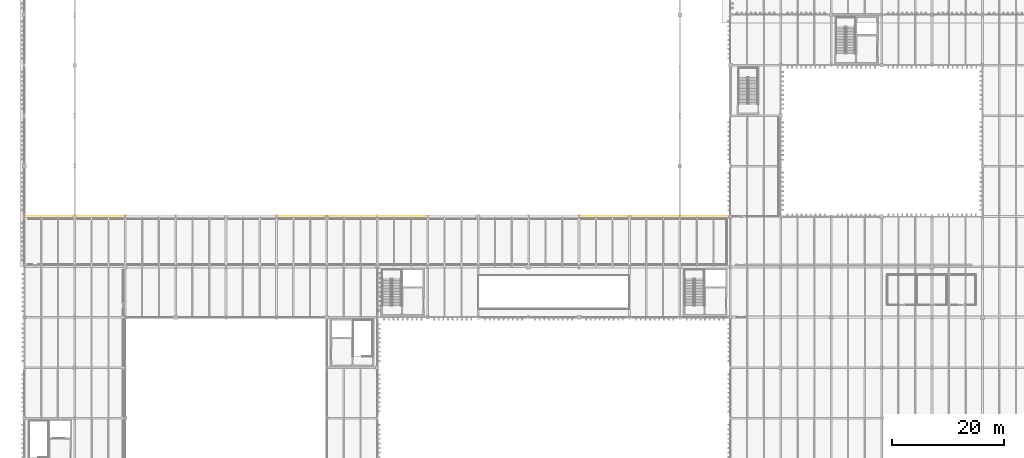
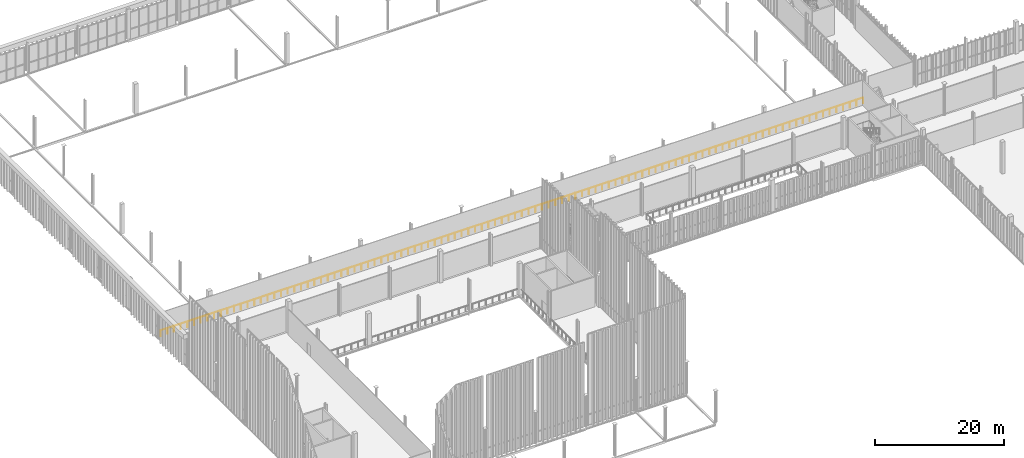
# One storey, part 215 of 237: 1 railing.
"""IFC4 building model written with IfcOpenShell, lengths in metres."""

import ifcopenshell
import ifcopenshell.guid

model = None  # the IFC model being written
_history = None  # IfcOwnerHistory: only IFC2X3 demands one
_inside = {}  # id of a spatial element -> (the spatial element, [elements in it])
_under = {}  # id of a project, library or spatial element -> (it, [spatial elements below it])
_declared = {}  # id of a project -> (the project, [libraries it declares])
_typed = {}  # id of a type object -> (the type object, [elements of that type])
_made_of = {}  # id of a material, layer set ... -> (it, [elements and type objects made of it])


def new_model(schema):
    """Start an empty IFC model of exactly this schema.

    Asked for "IFC4X3", IfcOpenShell would pick the latest addendum, in which some entities
    have other attributes; the version numbers below select the first issue.
    IFC2X3 requires an IfcOwnerHistory on every rooted entity: one is made here for all.
    """
    global model, _history
    if schema == "IFC4X3":
        model = ifcopenshell.file(schema_version=(4, 3, 0, 0))
    else:
        model = ifcopenshell.file(schema=schema)
    _inside.clear()
    _under.clear()
    _declared.clear()
    _typed.clear()
    _made_of.clear()
    _history = None
    if model.schema == "IFC2X3":
        org = make("IfcOrganization", Name="unknown")
        user = make(
            "IfcPersonAndOrganization",
            ThePerson=make("IfcPerson", FamilyName="unknown"),
            TheOrganization=org,
        )
        app = make(
            "IfcApplication",
            ApplicationDeveloper=org,
            Version="unknown",
            ApplicationFullName="unknown",
            ApplicationIdentifier="unknown",
        )
        _history = make(
            "IfcOwnerHistory",
            OwningUser=user,
            OwningApplication=app,
            ChangeAction="ADDED",
            CreationDate=0,
        )
    return model


def make(cls, **values):
    """One entity of the class cls with the attributes given. An attribute that is None is left unset."""
    return model.create_entity(
        cls, **{name: value for name, value in values.items() if value is not None}
    )


def rooted(cls, **values):
    """An entity with a GlobalId (a new one), such as an element, a storey or a relation."""
    return make(cls, GlobalId=ifcopenshell.guid.new(), OwnerHistory=_history, **values)


def si_unit(unit_type, name, prefix=None):
    """IfcSIUnit, for example si_unit("LENGTHUNIT", "METRE", prefix="MILLI")."""
    return make("IfcSIUnit", UnitType=unit_type, Prefix=prefix, Name=name)


def assignment(units):
    """IfcUnitAssignment: the units of a project."""
    return None if units is None else make("IfcUnitAssignment", Units=units)


def point(xyz):
    """IfcCartesianPoint."""
    return None if xyz is None else make("IfcCartesianPoint", Coordinates=xyz)


def direction(xyz):
    """IfcDirection."""
    return None if xyz is None else make("IfcDirection", DirectionRatios=xyz)


def frame(location, z_axis=None, x_axis=None):
    """IfcAxis2Placement3D, a coordinate frame: its origin and axes. An axis left out is left unset."""
    return make(
        "IfcAxis2Placement3D",
        Location=point(location),
        Axis=direction(z_axis),
        RefDirection=direction(x_axis),
    )


def frame_2d(location, x_axis=None):
    """IfcAxis2Placement2D, a coordinate frame in the plane: its origin and x axis."""
    return make(
        "IfcAxis2Placement2D", Location=point(location), RefDirection=direction(x_axis)
    )


def origin():
    """The frame at (0, 0, 0) with its axes left unset."""
    return frame((0.0, 0.0, 0.0))


def origin_2d():
    """The frame at (0, 0) in the plane with its x axis left unset."""
    return frame_2d((0.0, 0.0))


def place(relative_to, where):
    """IfcLocalPlacement: puts the frame where relative to a parent placement (None: the world)."""
    return make(
        "IfcLocalPlacement", PlacementRelTo=relative_to, RelativePlacement=where
    )


def context(
    kind, dimensions, precision=None, world=None, true_north=None, identifier=None
):
    """IfcGeometricRepresentationContext, for example the 3D "Model" context."""
    return make(
        "IfcGeometricRepresentationContext",
        ContextIdentifier=identifier,
        ContextType=kind,
        CoordinateSpaceDimension=dimensions,
        Precision=precision,
        WorldCoordinateSystem=world,
        TrueNorth=true_north,
    )


def subcontext(parent, identifier, kind, view, scale=None):
    """IfcGeometricRepresentationSubContext, for example "Body" below "Model"."""
    return make(
        "IfcGeometricRepresentationSubContext",
        ContextIdentifier=identifier,
        ContextType=kind,
        ParentContext=parent,
        TargetScale=scale,
        TargetView=view,
    )


def project(units=None, contexts=None):
    """IfcProject with its units and contexts."""
    return rooted(
        "IfcProject",
        Name="project",
        RepresentationContexts=contexts,
        UnitsInContext=assignment(units),
    )


def spatial(cls, under=None, at=None, **own):
    """A site, building, storey or space (cls), placed at a placement, below another one or the project."""
    s = rooted(cls, ObjectPlacement=at, **own)
    if under is not None:
        _under.setdefault(under.id(), (under, []))[1].append(s)
    return s


def profile(cls, at=None, kind="AREA", **sizes):
    """A parametric profile (cls). Its sizes go by their IFC names, for example OverallWidth=200.0."""
    return make(cls, ProfileType=kind, Position=at, **sizes)


def circle(**sizes):
    """IfcCircleProfileDef."""
    return profile("IfcCircleProfileDef", **sizes)


def extrude(swept, where, along, depth):
    """IfcExtrudedAreaSolid: the profile swept, set in the frame where, extruded along a direction by depth."""
    return make(
        "IfcExtrudedAreaSolid",
        SweptArea=swept,
        Position=where,
        ExtrudedDirection=direction(along),
        Depth=depth,
    )


def shape(context_of_items, identifier, shape_type, items):
    """IfcShapeRepresentation: the items that make up one representation, for example the "Body"."""
    return make(
        "IfcShapeRepresentation",
        ContextOfItems=context_of_items,
        RepresentationIdentifier=identifier,
        RepresentationType=shape_type,
        Items=items,
    )


def material(Name=None, Category=None):
    """IfcMaterial."""
    return make("IfcMaterial", Name=Name, Category=Category)


def made_of(thing, what):
    """Note that an element or type object is made of a material, layer set ...; save() writes the relation."""
    if what is not None:
        _made_of.setdefault(what.id(), (what, []))[1].append(thing)
    return thing


def type_object(cls, material=None, **own):
    """A type object (cls), such as IfcWallType, which elements share."""
    return made_of(rooted(cls, **own), material)


def element(
    cls,
    number,
    at=None,
    inside=None,
    cuts=None,
    type_object=None,
    material=None,
    context=None,
    identifier="Body",
    shape_type=None,
    held_by="IfcProductDefinitionShape",
    body=None,
    shapes=None,
    **own,
):
    """One element of the class cls, such as IfcWall. Its Tag is "e" and its number.

    at: its placement. inside: the storey or other place that contains it. cuts: it is an
    opening in that element (IfcRelVoidsElement). A single representation is given by context,
    identifier, shape_type and body (its items); several are given by shapes. held_by: the class
    of the entity that holds the representations. save() writes the other relations.
    """
    e = rooted(cls, Tag="e%d" % number, ObjectPlacement=at, **own)
    if body is not None:
        shapes = [shape(context, identifier, shape_type, body)]
    if shapes is not None:
        e.Representation = make(held_by, Representations=shapes)
    if inside is not None:
        _inside.setdefault(inside.id(), (inside, []))[1].append(e)
    if cuts is not None:
        rooted(
            "IfcRelVoidsElement", RelatingBuildingElement=cuts, RelatedOpeningElement=e
        )
    if type_object is not None:
        _typed.setdefault(type_object.id(), (type_object, []))[1].append(e)
    return made_of(e, material)


def aggregate(whole, parts):
    """IfcRelAggregates: a whole, such as a stair, and the parts it consists of."""
    return rooted("IfcRelAggregates", RelatingObject=whole, RelatedObjects=parts)


def save(model, path):
    """Write the relations noted so far, then the file.

    IfcRelAggregates (storeys below a building ...), IfcRelContainedInSpatialStructure (elements
    in a storey), IfcRelDefinesByType, IfcRelAssociatesMaterial and IfcRelDeclares: one each for
    every whole, place, type object, material and project.
    """
    for whole, parts in _under.values():
        aggregate(whole, parts)
    for where, things in _inside.values():
        rooted(
            "IfcRelContainedInSpatialStructure",
            RelatedElements=things,
            RelatingStructure=where,
        )
    for kind, things in _typed.values():
        rooted("IfcRelDefinesByType", RelatedObjects=things, RelatingType=kind)
    for what, things in _made_of.values():
        rooted("IfcRelAssociatesMaterial", RelatedObjects=things, RelatingMaterial=what)
    for by, libraries in _declared.values():
        rooted("IfcRelDeclares", RelatingContext=by, RelatedDefinitions=libraries)
    model.write(path)


model = new_model("IFC4")

# Units and contexts
model_context = context("Model", 3, precision=1e-05, world=origin(), true_north=direction((0.0, 1.0)))
body_context = subcontext(model_context, "Body", "Model", "MODEL_VIEW")
ifc_project = project(units=[si_unit("LENGTHUNIT", "METRE"), si_unit("AREAUNIT", "SQUARE_METRE"), si_unit("VOLUMEUNIT", "CUBIC_METRE"), si_unit("PLANEANGLEUNIT", "RADIAN"), si_unit("MASSUNIT", "GRAM", prefix="KILO")], contexts=[model_context])

# Site, building, storey
site_placement = place(None, origin())
site = spatial("IfcSite", under=ifc_project, at=site_placement, CompositionType="ELEMENT")
building_placement = place(site_placement, origin())
building = spatial("IfcBuilding", under=site, at=building_placement, Name="Barlavento Convention Centre", CompositionType="ELEMENT")
storey_placement = place(building_placement, frame((0.0, 0.0, 12.0)))
storey = spatial("IfcBuildingStorey", under=building, at=storey_placement, Name="L02", CompositionType="ELEMENT", Elevation=12.0)

# Railing
ifc_material = material(Name="Stainless steel and laminated glass balustrade", Category="steel")
railing_type = type_object("IfcRailingType", Name="ARC-RAL-BAL-1100", PredefinedType="BALUSTRADE", material=ifc_material)
railing_placement = place(storey_placement, frame((0.300048828125, 62.949951171875, 0.0)))
element("IfcRailing", 1, at=railing_placement, inside=storey, type_object=railing_type, Name="L02 interior atrium or gallery balustrade GR01", PredefinedType="BALUSTRADE", context=body_context, shape_type="SweptSolid", body=[
    extrude(circle(Radius=0.02392578125, at=origin_2d()), frame((0.0, 0.0, 1.076171875), z_axis=(1.0, 0.0, 0.0), x_axis=(0.0, 1.0, 0.0)), (0.0, 0.0, 1.0), 125.39990234375),
    extrude(circle(Radius=0.02099609375, at=origin_2d()), origin(), (0.0, 0.0, 1.0), 1.052001953125),
    extrude(circle(Radius=0.02099609375, at=origin_2d()), frame((1.1943359375, 0.0, 0.0)), (0.0, 0.0, 1.0), 1.052001953125),
    extrude(circle(Radius=0.02099609375, at=origin_2d()), frame((2.388671875, 0.0, 0.0)), (0.0, 0.0, 1.0), 1.052001953125),
    extrude(circle(Radius=0.02099609375, at=origin_2d()), frame((3.582763671875, 0.0, 0.0)), (0.0, 0.0, 1.0), 1.052001953125),
    extrude(circle(Radius=0.02099609375, at=origin_2d()), frame((4.777099609375, 0.0, 0.0)), (0.0, 0.0, 1.0), 1.052001953125),
    extrude(circle(Radius=0.02099609375, at=origin_2d()), frame((5.971435546875, 0.0, 0.0)), (0.0, 0.0, 1.0), 1.052001953125),
    extrude(circle(Radius=0.02099609375, at=origin_2d()), frame((7.165771484375, 0.0, 0.0)), (0.0, 0.0, 1.0), 1.052001953125),
    extrude(circle(Radius=0.02099609375, at=origin_2d()), frame((8.360107421875, 0.0, 0.0)), (0.0, 0.0, 1.0), 1.052001953125),
    extrude(circle(Radius=0.02099609375, at=origin_2d()), frame((9.55419921875, 0.0, 0.0)), (0.0, 0.0, 1.0), 1.052001953125),
    extrude(circle(Radius=0.02099609375, at=origin_2d()), frame((10.74853515625, 0.0, 0.0)), (0.0, 0.0, 1.0), 1.052001953125),
    extrude(circle(Radius=0.02099609375, at=origin_2d()), frame((11.94287109375, 0.0, 0.0)), (0.0, 0.0, 1.0), 1.052001953125),
    extrude(circle(Radius=0.02099609375, at=origin_2d()), frame((13.13720703125, 0.0, 0.0)), (0.0, 0.0, 1.0), 1.052001953125),
    extrude(circle(Radius=0.02099609375, at=origin_2d()), frame((14.331298828125, 0.0, 0.0)), (0.0, 0.0, 1.0), 1.052001953125),
    extrude(circle(Radius=0.02099609375, at=origin_2d()), frame((15.525634765625, 0.0, 0.0)), (0.0, 0.0, 1.0), 1.052001953125),
    extrude(circle(Radius=0.02099609375, at=origin_2d()), frame((16.719970703125, 0.0, 0.0)), (0.0, 0.0, 1.0), 1.052001953125),
    extrude(circle(Radius=0.02099609375, at=origin_2d()), frame((17.914306640625, 0.0, 0.0)), (0.0, 0.0, 1.0), 1.052001953125),
    extrude(circle(Radius=0.02099609375, at=origin_2d()), frame((19.108642578125, 0.0, 0.0)), (0.0, 0.0, 1.0), 1.052001953125),
    extrude(circle(Radius=0.02099609375, at=origin_2d()), frame((20.302734375, 0.0, 0.0)), (0.0, 0.0, 1.0), 1.052001953125),
    extrude(circle(Radius=0.02099609375, at=origin_2d()), frame((21.4970703125, 0.0, 0.0)), (0.0, 0.0, 1.0), 1.052001953125),
    extrude(circle(Radius=0.02099609375, at=origin_2d()), frame((22.69140625, 0.0, 0.0)), (0.0, 0.0, 1.0), 1.052001953125),
    extrude(circle(Radius=0.02099609375, at=origin_2d()), frame((23.8857421875, 0.0, 0.0)), (0.0, 0.0, 1.0), 1.052001953125),
    extrude(circle(Radius=0.02099609375, at=origin_2d()), frame((25.080078125, 0.0, 0.0)), (0.0, 0.0, 1.0), 1.052001953125),
    extrude(circle(Radius=0.02099609375, at=origin_2d()), frame((26.274169921875, 0.0, 0.0)), (0.0, 0.0, 1.0), 1.052001953125),
    extrude(circle(Radius=0.02099609375, at=origin_2d()), frame((27.468505859375, 0.0, 0.0)), (0.0, 0.0, 1.0), 1.052001953125),
    extrude(circle(Radius=0.02099609375, at=origin_2d()), frame((28.662841796875, 0.0, 0.0)), (0.0, 0.0, 1.0), 1.052001953125),
    extrude(circle(Radius=0.02099609375, at=origin_2d()), frame((29.857177734375, 0.0, 0.0)), (0.0, 0.0, 1.0), 1.052001953125),
    extrude(circle(Radius=0.02099609375, at=origin_2d()), frame((31.051513671875, 0.0, 0.0)), (0.0, 0.0, 1.0), 1.052001953125),
    extrude(circle(Radius=0.02099609375, at=origin_2d()), frame((32.24560546875, 0.0, 0.0)), (0.0, 0.0, 1.0), 1.052001953125),
    extrude(circle(Radius=0.02099609375, at=origin_2d()), frame((33.43994140625, 0.0, 0.0)), (0.0, 0.0, 1.0), 1.052001953125),
    extrude(circle(Radius=0.02099609375, at=origin_2d()), frame((34.63427734375, 0.0, 0.0)), (0.0, 0.0, 1.0), 1.052001953125),
    extrude(circle(Radius=0.02099609375, at=origin_2d()), frame((35.82861328125, 0.0, 0.0)), (0.0, 0.0, 1.0), 1.052001953125),
    extrude(circle(Radius=0.02099609375, at=origin_2d()), frame((37.02294921875, 0.0, 0.0)), (0.0, 0.0, 1.0), 1.052001953125),
    extrude(circle(Radius=0.02099609375, at=origin_2d()), frame((38.217041015625, 0.0, 0.0)), (0.0, 0.0, 1.0), 1.052001953125),
    extrude(circle(Radius=0.02099609375, at=origin_2d()), frame((39.411376953125, 0.0, 0.0)), (0.0, 0.0, 1.0), 1.052001953125),
    extrude(circle(Radius=0.02099609375, at=origin_2d()), frame((40.605712890625, 0.0, 0.0)), (0.0, 0.0, 1.0), 1.052001953125),
    extrude(circle(Radius=0.02099609375, at=origin_2d()), frame((41.800048828125, 0.0, 0.0)), (0.0, 0.0, 1.0), 1.052001953125),
    extrude(circle(Radius=0.02099609375, at=origin_2d()), frame((42.994140625, 0.0, 0.0)), (0.0, 0.0, 1.0), 1.052001953125),
    extrude(circle(Radius=0.02099609375, at=origin_2d()), frame((44.1884765625, 0.0, 0.0)), (0.0, 0.0, 1.0), 1.052001953125),
    extrude(circle(Radius=0.02099609375, at=origin_2d()), frame((45.3828125, 0.0, 0.0)), (0.0, 0.0, 1.0), 1.052001953125),
    extrude(circle(Radius=0.02099609375, at=origin_2d()), frame((46.5771484375, 0.0, 0.0)), (0.0, 0.0, 1.0), 1.052001953125),
    extrude(circle(Radius=0.02099609375, at=origin_2d()), frame((47.771484375, 0.0, 0.0)), (0.0, 0.0, 1.0), 1.052001953125),
    extrude(circle(Radius=0.02099609375, at=origin_2d()), frame((48.965576171875, 0.0, 0.0)), (0.0, 0.0, 1.0), 1.052001953125),
    extrude(circle(Radius=0.02099609375, at=origin_2d()), frame((50.159912109375, 0.0, 0.0)), (0.0, 0.0, 1.0), 1.052001953125),
    extrude(circle(Radius=0.02099609375, at=origin_2d()), frame((51.354248046875, 0.0, 0.0)), (0.0, 0.0, 1.0), 1.052001953125),
    extrude(circle(Radius=0.02099609375, at=origin_2d()), frame((52.548583984375, 0.0, 0.0)), (0.0, 0.0, 1.0), 1.052001953125),
    extrude(circle(Radius=0.02099609375, at=origin_2d()), frame((53.742919921875, 0.0, 0.0)), (0.0, 0.0, 1.0), 1.052001953125),
    extrude(circle(Radius=0.02099609375, at=origin_2d()), frame((54.93701171875, 0.0, 0.0)), (0.0, 0.0, 1.0), 1.052001953125),
    extrude(circle(Radius=0.02099609375, at=origin_2d()), frame((56.13134765625, 0.0, 0.0)), (0.0, 0.0, 1.0), 1.052001953125),
    extrude(circle(Radius=0.02099609375, at=origin_2d()), frame((57.32568359375, 0.0, 0.0)), (0.0, 0.0, 1.0), 1.052001953125),
    extrude(circle(Radius=0.02099609375, at=origin_2d()), frame((58.52001953125, 0.0, 0.0)), (0.0, 0.0, 1.0), 1.052001953125),
    extrude(circle(Radius=0.02099609375, at=origin_2d()), frame((59.71435546875, 0.0, 0.0)), (0.0, 0.0, 1.0), 1.052001953125),
    extrude(circle(Radius=0.02099609375, at=origin_2d()), frame((60.908447265625, 0.0, 0.0)), (0.0, 0.0, 1.0), 1.052001953125),
    extrude(circle(Radius=0.02099609375, at=origin_2d()), frame((62.102783203125, 0.0, 0.0)), (0.0, 0.0, 1.0), 1.052001953125),
    extrude(circle(Radius=0.02099609375, at=origin_2d()), frame((63.297119140625, 0.0, 0.0)), (0.0, 0.0, 1.0), 1.052001953125),
    extrude(circle(Radius=0.02099609375, at=origin_2d()), frame((64.491455078125, 0.0, 0.0)), (0.0, 0.0, 1.0), 1.052001953125),
    extrude(circle(Radius=0.02099609375, at=origin_2d()), frame((65.685546875, 0.0, 0.0)), (0.0, 0.0, 1.0), 1.052001953125),
    extrude(circle(Radius=0.02099609375, at=origin_2d()), frame((66.8798828125, 0.0, 0.0)), (0.0, 0.0, 1.0), 1.052001953125),
    extrude(circle(Radius=0.02099609375, at=origin_2d()), frame((68.07421875, 0.0, 0.0)), (0.0, 0.0, 1.0), 1.052001953125),
    extrude(circle(Radius=0.02099609375, at=origin_2d()), frame((69.2685546875, 0.0, 0.0)), (0.0, 0.0, 1.0), 1.052001953125),
    extrude(circle(Radius=0.02099609375, at=origin_2d()), frame((70.462890625, 0.0, 0.0)), (0.0, 0.0, 1.0), 1.052001953125),
    extrude(circle(Radius=0.02099609375, at=origin_2d()), frame((71.656982421875, 0.0, 0.0)), (0.0, 0.0, 1.0), 1.052001953125),
    extrude(circle(Radius=0.02099609375, at=origin_2d()), frame((72.851318359375, 0.0, 0.0)), (0.0, 0.0, 1.0), 1.052001953125),
    extrude(circle(Radius=0.02099609375, at=origin_2d()), frame((74.045654296875, 0.0, 0.0)), (0.0, 0.0, 1.0), 1.052001953125),
    extrude(circle(Radius=0.02099609375, at=origin_2d()), frame((75.239990234375, 0.0, 0.0)), (0.0, 0.0, 1.0), 1.052001953125),
    extrude(circle(Radius=0.02099609375, at=origin_2d()), frame((76.434326171875, 0.0, 0.0)), (0.0, 0.0, 1.0), 1.052001953125),
    extrude(circle(Radius=0.02099609375, at=origin_2d()), frame((77.62841796875, 0.0, 0.0)), (0.0, 0.0, 1.0), 1.052001953125),
    extrude(circle(Radius=0.02099609375, at=origin_2d()), frame((78.82275390625, 0.0, 0.0)), (0.0, 0.0, 1.0), 1.052001953125),
    extrude(circle(Radius=0.02099609375, at=origin_2d()), frame((80.01708984375, 0.0, 0.0)), (0.0, 0.0, 1.0), 1.052001953125),
    extrude(circle(Radius=0.02099609375, at=origin_2d()), frame((81.21142578125, 0.0, 0.0)), (0.0, 0.0, 1.0), 1.052001953125),
    extrude(circle(Radius=0.02099609375, at=origin_2d()), frame((82.40576171875, 0.0, 0.0)), (0.0, 0.0, 1.0), 1.052001953125),
    extrude(circle(Radius=0.02099609375, at=origin_2d()), frame((83.599853515625, 0.0, 0.0)), (0.0, 0.0, 1.0), 1.052001953125),
    extrude(circle(Radius=0.02099609375, at=origin_2d()), frame((84.794189453125, 0.0, 0.0)), (0.0, 0.0, 1.0), 1.052001953125),
    extrude(circle(Radius=0.02099609375, at=origin_2d()), frame((85.988525390625, 0.0, 0.0)), (0.0, 0.0, 1.0), 1.052001953125),
    extrude(circle(Radius=0.02099609375, at=origin_2d()), frame((87.182861328125, 0.0, 0.0)), (0.0, 0.0, 1.0), 1.052001953125),
    extrude(circle(Radius=0.02099609375, at=origin_2d()), frame((88.376953125, 0.0, 0.0)), (0.0, 0.0, 1.0), 1.052001953125),
    extrude(circle(Radius=0.02099609375, at=origin_2d()), frame((89.5712890625, 0.0, 0.0)), (0.0, 0.0, 1.0), 1.052001953125),
    extrude(circle(Radius=0.02099609375, at=origin_2d()), frame((90.765625, 0.0, 0.0)), (0.0, 0.0, 1.0), 1.052001953125),
    extrude(circle(Radius=0.02099609375, at=origin_2d()), frame((91.9599609375, 0.0, 0.0)), (0.0, 0.0, 1.0), 1.052001953125),
    extrude(circle(Radius=0.02099609375, at=origin_2d()), frame((93.154296875, 0.0, 0.0)), (0.0, 0.0, 1.0), 1.052001953125),
    extrude(circle(Radius=0.02099609375, at=origin_2d()), frame((94.348388671875, 0.0, 0.0)), (0.0, 0.0, 1.0), 1.052001953125),
    extrude(circle(Radius=0.02099609375, at=origin_2d()), frame((95.542724609375, 0.0, 0.0)), (0.0, 0.0, 1.0), 1.052001953125),
    extrude(circle(Radius=0.02099609375, at=origin_2d()), frame((96.737060546875, 0.0, 0.0)), (0.0, 0.0, 1.0), 1.052001953125),
    extrude(circle(Radius=0.02099609375, at=origin_2d()), frame((97.931396484375, 0.0, 0.0)), (0.0, 0.0, 1.0), 1.052001953125),
    extrude(circle(Radius=0.02099609375, at=origin_2d()), frame((99.125732421875, 0.0, 0.0)), (0.0, 0.0, 1.0), 1.052001953125),
    extrude(circle(Radius=0.02099609375, at=origin_2d()), frame((100.31982421875, 0.0, 0.0)), (0.0, 0.0, 1.0), 1.052001953125),
    extrude(circle(Radius=0.02099609375, at=origin_2d()), frame((101.51416015625, 0.0, 0.0)), (0.0, 0.0, 1.0), 1.052001953125),
    extrude(circle(Radius=0.02099609375, at=origin_2d()), frame((102.70849609375, 0.0, 0.0)), (0.0, 0.0, 1.0), 1.052001953125),
    extrude(circle(Radius=0.02099609375, at=origin_2d()), frame((103.90283203125, 0.0, 0.0)), (0.0, 0.0, 1.0), 1.052001953125),
    extrude(circle(Radius=0.02099609375, at=origin_2d()), frame((105.09716796875, 0.0, 0.0)), (0.0, 0.0, 1.0), 1.052001953125),
    extrude(circle(Radius=0.02099609375, at=origin_2d()), frame((106.291259765625, 0.0, 0.0)), (0.0, 0.0, 1.0), 1.052001953125),
    extrude(circle(Radius=0.02099609375, at=origin_2d()), frame((107.485595703125, 0.0, 0.0)), (0.0, 0.0, 1.0), 1.052001953125),
    extrude(circle(Radius=0.02099609375, at=origin_2d()), frame((108.679931640625, 0.0, 0.0)), (0.0, 0.0, 1.0), 1.052001953125),
    extrude(circle(Radius=0.02099609375, at=origin_2d()), frame((109.874267578125, 0.0, 0.0)), (0.0, 0.0, 1.0), 1.052001953125),
    extrude(circle(Radius=0.02099609375, at=origin_2d()), frame((111.068603515625, 0.0, 0.0)), (0.0, 0.0, 1.0), 1.052001953125),
    extrude(circle(Radius=0.02099609375, at=origin_2d()), frame((112.2626953125, 0.0, 0.0)), (0.0, 0.0, 1.0), 1.052001953125),
    extrude(circle(Radius=0.02099609375, at=origin_2d()), frame((113.45703125, 0.0, 0.0)), (0.0, 0.0, 1.0), 1.052001953125),
    extrude(circle(Radius=0.02099609375, at=origin_2d()), frame((114.6513671875, 0.0, 0.0)), (0.0, 0.0, 1.0), 1.052001953125),
    extrude(circle(Radius=0.02099609375, at=origin_2d()), frame((115.845703125, 0.0, 0.0)), (0.0, 0.0, 1.0), 1.052001953125),
    extrude(circle(Radius=0.02099609375, at=origin_2d()), frame((117.039794921875, 0.0, 0.0)), (0.0, 0.0, 1.0), 1.052001953125),
    extrude(circle(Radius=0.02099609375, at=origin_2d()), frame((118.234130859375, 0.0, 0.0)), (0.0, 0.0, 1.0), 1.052001953125),
    extrude(circle(Radius=0.02099609375, at=origin_2d()), frame((119.428466796875, 0.0, 0.0)), (0.0, 0.0, 1.0), 1.052001953125),
    extrude(circle(Radius=0.02099609375, at=origin_2d()), frame((120.622802734375, 0.0, 0.0)), (0.0, 0.0, 1.0), 1.052001953125),
    extrude(circle(Radius=0.02099609375, at=origin_2d()), frame((121.817138671875, 0.0, 0.0)), (0.0, 0.0, 1.0), 1.052001953125),
    extrude(circle(Radius=0.02099609375, at=origin_2d()), frame((123.01123046875, 0.0, 0.0)), (0.0, 0.0, 1.0), 1.052001953125),
    extrude(circle(Radius=0.02099609375, at=origin_2d()), frame((124.20556640625, 0.0, 0.0)), (0.0, 0.0, 1.0), 1.052001953125),
    extrude(circle(Radius=0.02099609375, at=origin_2d()), frame((125.39990234375, 0.0, 0.0)), (0.0, 0.0, 1.0), 1.052001953125),
])

save(model, "model.ifc")
